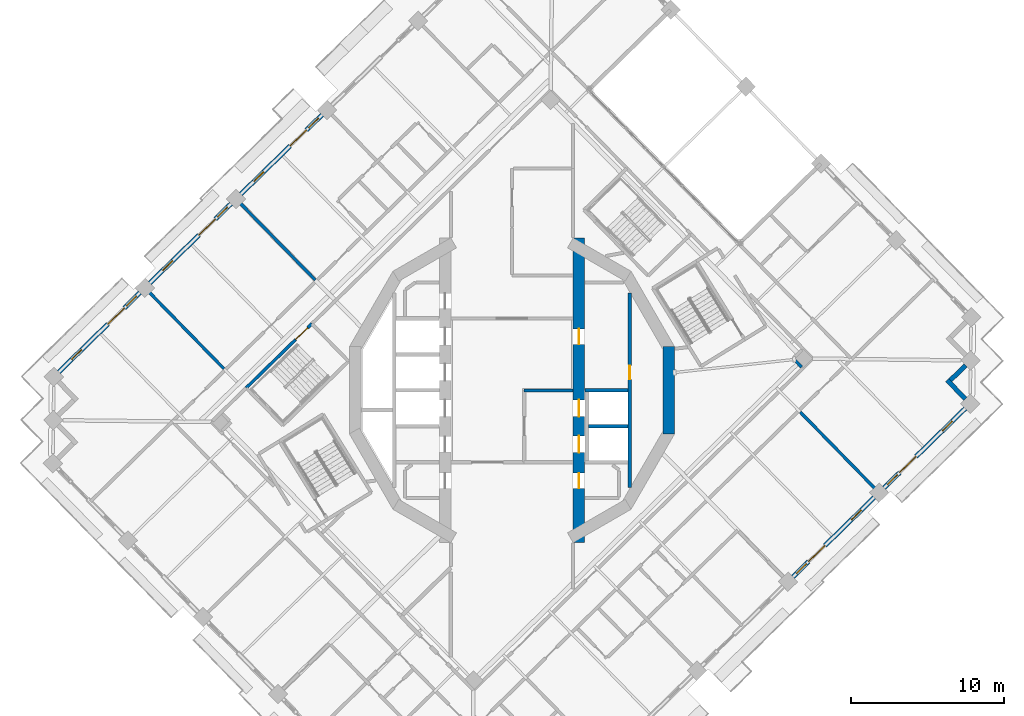
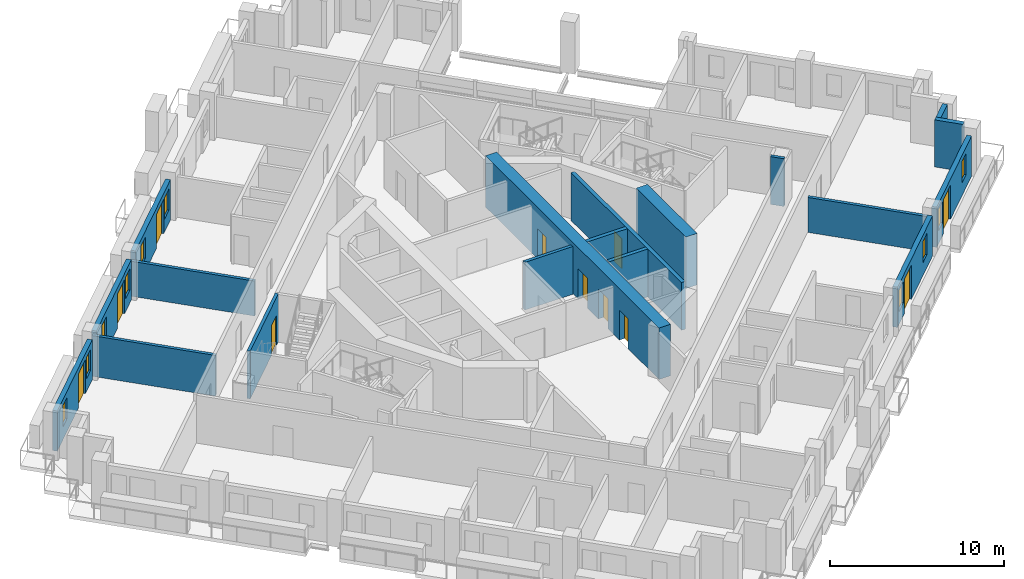
# One storey, part 10 of 20: 18 walls, 11 doors, 10 windows, 21 openings.
"""IFC4 building model written with IfcOpenShell, lengths in metres."""

from ifc_helpers import new_model, si_unit, direction, frame, frame_2d, origin, place, context, subcontext, project, spatial, rectangle, extrude, material, layer, layer_set, type_object, element, fill, save


model = new_model("IFC4")

# Units and contexts
model_context = context("Model", 3, precision=1e-05, world=origin(), true_north=direction((0.0, 1.0)))
body_context = subcontext(model_context, "Body", "Model", "MODEL_VIEW")
ifc_project = project(units=[si_unit("LENGTHUNIT", "METRE"), si_unit("AREAUNIT", "SQUARE_METRE"), si_unit("VOLUMEUNIT", "CUBIC_METRE"), si_unit("PLANEANGLEUNIT", "RADIAN"), si_unit("MASSUNIT", "GRAM", prefix="KILO")], contexts=[model_context])

# Site, building, storey
site_placement = place(None, origin())
site = spatial("IfcSite", under=ifc_project, at=site_placement, CompositionType="ELEMENT")
building_placement = place(site_placement, origin())
building = spatial("IfcBuilding", under=site, at=building_placement, Name="Cantera Rosa Tower", CompositionType="ELEMENT")
storey_placement = place(building_placement, frame((0.0, 0.0, 212.60009765625)))
storey = spatial("IfcBuildingStorey", under=building, at=storey_placement, Name="L45", CompositionType="ELEMENT", Elevation=212.60009765625)

# Walls
ifc_material_1 = material(Name="Hollow clay masonry with cantera stone cladding", Category="masonry")
ifc_layer_1 = layer(ifc_material_1, 0.300048828125)
ifc_layer_set_1 = layer_set([ifc_layer_1], Name="EW-LOGGIA 300")
wall_type_1 = type_object("IfcWallType", Name="EW-LOGGIA 300", PredefinedType="SOLIDWALL", material=ifc_layer_set_1)
wall_1_placement = place(storey_placement, frame((29.623291015625, -0.556884765625, 0.0), z_axis=(0.0, 0.0, 1.0), x_axis=(-0.69880105094, 0.715316077832, 0.0)))
element("IfcWall", 1, at=wall_1_placement, inside=storey, type_object=wall_type_1, Name="EN-L45-W26a", PredefinedType="SOLIDWALL", context=body_context, shape_type="SweptSolid", body=[
    extrude(rectangle(XDim=1.699951171875, YDim=0.300048828125, at=frame_2d((0.85009765625, 0.0))), origin(), (0.0, 0.0, 1.0), 3.2998046875),
])
wall_2_placement = place(storey_placement, frame((28.6474609375, 0.65673828125, 0.0), z_axis=(0.0, 0.0, 1.0), x_axis=(0.715341715727, 0.698774806172, 0.0)))
element("IfcWall", 2, at=wall_2_placement, inside=storey, type_object=wall_type_1, Name="EN-L45-W26b", PredefinedType="SOLIDWALL", context=body_context, shape_type="SweptSolid", body=[
    extrude(rectangle(XDim=1.39990234375, YDim=0.300048828125, at=frame_2d((0.699951171875, 0.0))), origin(), (0.0, 0.0, 1.0), 3.2998046875),
])

# Wall, openings, windows, door
ifc_material_2 = material(Name="Hollow clay masonry with cantera stone cladding", Category="masonry")
ifc_layer_2 = layer(ifc_material_2, 0.300048828125)
ifc_layer_set_2 = layer_set([ifc_layer_2], Name="EW-LOGGIA 300 H2820")
wall_type_2 = type_object("IfcWallType", Name="EW-LOGGIA 300 H2820", PredefinedType="SOLIDWALL", material=ifc_layer_set_2)
wall_3_placement = place(storey_placement, frame((-12.406005859375, 18.007080078125, 0.0), z_axis=(0.0, 0.0, 1.0), x_axis=(-0.715300826176, -0.698816662703, 0.0)))
wall_3 = element("IfcWall", 3, at=wall_3_placement, inside=storey, type_object=wall_type_2, Name="EN-L45-W09", PredefinedType="SOLIDWALL", context=body_context, shape_type="SweptSolid", body=[
    extrude(rectangle(XDim=7.420166015625, YDim=0.300048828125, at=frame_2d((3.7099609375, 0.0))), origin(), (0.0, 0.0, 1.0), 2.81982421875),
])
opening_1_placement = place(wall_3_placement, frame((0.330078125, 0.0, 0.89990234375)))
opening_1 = element("IfcOpeningElement", 4, at=opening_1_placement, cuts=wall_3, Name="Opening L45-W13", PredefinedType="OPENING", context=body_context, shape_type="SweptSolid", body=[
    extrude(rectangle(XDim=0.89990234375, YDim=1.5, at=frame_2d((0.449951171875, 0.75))), frame((0.0, 0.159912109375, 0.0), z_axis=(0.0, -1.0, 0.0), x_axis=(1.0, 0.0, 0.0)), (0.0, 0.0, 1.0), 0.320068359375),
])
opening_2_placement = place(wall_3_placement, frame((1.429931640625, 0.0, 0.0)))
opening_2 = element("IfcOpeningElement", 5, at=opening_2_placement, cuts=wall_3, Name="Opening L45-TD14", PredefinedType="OPENING", context=body_context, shape_type="SweptSolid", body=[
    extrude(rectangle(XDim=1.5, YDim=2.39990234375, at=frame_2d((0.75, 1.199951171875))), frame((0.0, 0.159912109375, 0.0), z_axis=(0.0, -1.0, 0.0), x_axis=(1.0, 0.0, 0.0)), (0.0, 0.0, 1.0), 0.320068359375),
])
opening_3_placement = place(wall_3_placement, frame((5.340087890625, 0.0, 0.89990234375)))
opening_3 = element("IfcOpeningElement", 6, at=opening_3_placement, cuts=wall_3, Name="Opening L45-W15", PredefinedType="OPENING", context=body_context, shape_type="SweptSolid", body=[
    extrude(rectangle(XDim=0.89990234375, YDim=1.5, at=frame_2d((0.449951171875, 0.75))), frame((0.0, 0.159912109375, 0.0), z_axis=(0.0, -1.0, 0.0), x_axis=(1.0, 0.0, 0.0)), (0.0, 0.0, 1.0), 0.320068359375),
])
ifc_material_3 = material(Name="Aluminium frame with clear glass", Category="aluminium")
window_type = type_object("IfcWindowType", Name="Residential window 900x1500", PartitioningType="SINGLE_PANEL", PredefinedType="WINDOW", material=ifc_material_3)
window_1_placement = place(opening_1_placement, origin())
window_1 = element("IfcWindow", 7, at=window_1_placement, inside=storey, type_object=window_type, Name="WINDOW L45-W13", OverallHeight=1.5, OverallWidth=0.89990234375, PartitioningType="SINGLE_PANEL", PredefinedType="WINDOW", context=body_context, shape_type="SweptSolid", body=[
    extrude(rectangle(XDim=0.89990234375, YDim=1.5, at=frame_2d((0.449951171875, 0.75))), frame((0.0, 0.030029296875, 0.0), z_axis=(0.0, -1.0, 0.0), x_axis=(1.0, 0.0, 0.0)), (0.0, 0.0, 1.0), 0.06005859375),
])
fill(opening_1, window_1)
window_2_placement = place(opening_3_placement, origin())
window_2 = element("IfcWindow", 8, at=window_2_placement, inside=storey, type_object=window_type, Name="WINDOW L45-W15", OverallHeight=1.5, OverallWidth=0.89990234375, PartitioningType="SINGLE_PANEL", PredefinedType="WINDOW", context=body_context, shape_type="SweptSolid", body=[
    extrude(rectangle(XDim=0.89990234375, YDim=1.5, at=frame_2d((0.449951171875, 0.75))), frame((0.0, 0.030029296875, 0.0), z_axis=(0.0, -1.0, 0.0), x_axis=(1.0, 0.0, 0.0)), (0.0, 0.0, 1.0), 0.06005859375),
])
fill(opening_3, window_2)
ifc_material_4 = material(Name="Aluminium frame with clear glass", Category="aluminium")
door_type_1 = type_object("IfcDoorType", Name="TD-R 1500x2400", OperationType="NOTDEFINED", PredefinedType="DOOR", material=ifc_material_4)
door_1_placement = place(opening_2_placement, origin())
door_1 = element("IfcDoor", 9, at=door_1_placement, inside=storey, type_object=door_type_1, Name="LOGGIA DOOR L45-TD14", OperationType="SLIDING_TO_LEFT", OverallHeight=2.39990234375, OverallWidth=1.5, PredefinedType="DOOR", context=body_context, shape_type="SweptSolid", body=[
    extrude(rectangle(XDim=1.5, YDim=2.39990234375, at=frame_2d((0.75, 1.199951171875))), frame((0.0, 0.02490234375, 0.0), z_axis=(0.0, -1.0, 0.0), x_axis=(1.0, 0.0, 0.0)), (0.0, 0.0, 1.0), 0.050048828125),
])
fill(opening_2, door_1)

wall_4_placement = place(storey_placement, frame((-18.357177734375, 12.19287109375, 0.0), z_axis=(0.0, 0.0, 1.0), x_axis=(-0.715300826176, -0.698816662703, 0.0)))
wall_4 = element("IfcWall", 10, at=wall_4_placement, inside=storey, type_object=wall_type_2, Name="EN-L45-W10", PredefinedType="SOLIDWALL", context=body_context, shape_type="SweptSolid", body=[
    extrude(rectangle(XDim=7.420166015625, YDim=0.300048828125, at=frame_2d((3.7099609375, 0.0))), origin(), (0.0, 0.0, 1.0), 2.81982421875),
])
opening_4_placement = place(wall_4_placement, frame((0.330078125, 0.0, 0.89990234375)))
opening_4 = element("IfcOpeningElement", 11, at=opening_4_placement, cuts=wall_4, Name="Opening L45-W16", PredefinedType="OPENING", context=body_context, shape_type="SweptSolid", body=[
    extrude(rectangle(XDim=0.89990234375, YDim=1.5, at=frame_2d((0.449951171875, 0.75))), frame((0.0, 0.159912109375, 0.0), z_axis=(0.0, -1.0, 0.0), x_axis=(1.0, 0.0, 0.0)), (0.0, 0.0, 1.0), 0.320068359375),
])
opening_5_placement = place(wall_4_placement, frame((1.429931640625, 0.0, 0.0)))
opening_5 = element("IfcOpeningElement", 12, at=opening_5_placement, cuts=wall_4, Name="Opening L45-TD17", PredefinedType="OPENING", context=body_context, shape_type="SweptSolid", body=[
    extrude(rectangle(XDim=1.5, YDim=2.39990234375, at=frame_2d((0.75, 1.199951171875))), frame((0.0, 0.159912109375, 0.0), z_axis=(0.0, -1.0, 0.0), x_axis=(1.0, 0.0, 0.0)), (0.0, 0.0, 1.0), 0.320068359375),
])
opening_6_placement = place(wall_4_placement, frame((5.340087890625, 0.0, 0.89990234375)))
opening_6 = element("IfcOpeningElement", 13, at=opening_6_placement, cuts=wall_4, Name="Opening L45-W18", PredefinedType="OPENING", context=body_context, shape_type="SweptSolid", body=[
    extrude(rectangle(XDim=0.89990234375, YDim=1.5, at=frame_2d((0.449951171875, 0.75))), frame((0.0, 0.159912109375, 0.0), z_axis=(0.0, -1.0, 0.0), x_axis=(1.0, 0.0, 0.0)), (0.0, 0.0, 1.0), 0.320068359375),
])
window_3_placement = place(opening_4_placement, origin())
window_3 = element("IfcWindow", 14, at=window_3_placement, inside=storey, type_object=window_type, Name="WINDOW L45-W16", OverallHeight=1.5, OverallWidth=0.89990234375, PartitioningType="SINGLE_PANEL", PredefinedType="WINDOW", context=body_context, shape_type="SweptSolid", body=[
    extrude(rectangle(XDim=0.89990234375, YDim=1.5, at=frame_2d((0.449951171875, 0.75))), frame((0.0, 0.030029296875, 0.0), z_axis=(0.0, -1.0, 0.0), x_axis=(1.0, 0.0, 0.0)), (0.0, 0.0, 1.0), 0.06005859375),
])
fill(opening_4, window_3)
window_4_placement = place(opening_6_placement, origin())
window_4 = element("IfcWindow", 15, at=window_4_placement, inside=storey, type_object=window_type, Name="WINDOW L45-W18", OverallHeight=1.5, OverallWidth=0.89990234375, PartitioningType="SINGLE_PANEL", PredefinedType="WINDOW", context=body_context, shape_type="SweptSolid", body=[
    extrude(rectangle(XDim=0.89990234375, YDim=1.5, at=frame_2d((0.449951171875, 0.75))), frame((0.0, 0.030029296875, 0.0), z_axis=(0.0, -1.0, 0.0), x_axis=(1.0, 0.0, 0.0)), (0.0, 0.0, 1.0), 0.06005859375),
])
fill(opening_6, window_4)
door_2_placement = place(opening_5_placement, origin())
door_2 = element("IfcDoor", 16, at=door_2_placement, inside=storey, type_object=door_type_1, Name="LOGGIA DOOR L45-TD17", OperationType="SLIDING_TO_LEFT", OverallHeight=2.39990234375, OverallWidth=1.5, PredefinedType="DOOR", context=body_context, shape_type="SweptSolid", body=[
    extrude(rectangle(XDim=1.5, YDim=2.39990234375, at=frame_2d((0.75, 1.199951171875))), frame((0.0, 0.02490234375, 0.0), z_axis=(0.0, -1.0, 0.0), x_axis=(1.0, 0.0, 0.0)), (0.0, 0.0, 1.0), 0.050048828125),
])
fill(opening_5, door_2)

wall_5_placement = place(storey_placement, frame((-24.308349609375, 6.37841796875, 0.0), z_axis=(0.0, 0.0, 1.0), x_axis=(-0.715300826176, -0.698816662703, 0.0)))
wall_5 = element("IfcWall", 17, at=wall_5_placement, inside=storey, type_object=wall_type_2, Name="EN-L45-W11", PredefinedType="SOLIDWALL", context=body_context, shape_type="SweptSolid", body=[
    extrude(rectangle(XDim=7.420166015625, YDim=0.300048828125, at=frame_2d((3.7099609375, 0.0))), origin(), (0.0, 0.0, 1.0), 2.81982421875),
])
opening_7_placement = place(wall_5_placement, frame((0.330078125, 0.0, 0.89990234375)))
opening_7 = element("IfcOpeningElement", 18, at=opening_7_placement, cuts=wall_5, Name="Opening L45-W19", PredefinedType="OPENING", context=body_context, shape_type="SweptSolid", body=[
    extrude(rectangle(XDim=0.89990234375, YDim=1.5, at=frame_2d((0.449951171875, 0.75))), frame((0.0, 0.159912109375, 0.0), z_axis=(0.0, -1.0, 0.0), x_axis=(1.0, 0.0, 0.0)), (0.0, 0.0, 1.0), 0.320068359375),
])
opening_8_placement = place(wall_5_placement, frame((1.429931640625, 0.0, 0.0)))
opening_8 = element("IfcOpeningElement", 19, at=opening_8_placement, cuts=wall_5, Name="Opening L45-TD20", PredefinedType="OPENING", context=body_context, shape_type="SweptSolid", body=[
    extrude(rectangle(XDim=1.5, YDim=2.39990234375, at=frame_2d((0.75, 1.199951171875))), frame((0.0, 0.159912109375, 0.0), z_axis=(0.0, -1.0, 0.0), x_axis=(1.0, 0.0, 0.0)), (0.0, 0.0, 1.0), 0.320068359375),
])
opening_9_placement = place(wall_5_placement, frame((5.340087890625, 0.0, 0.89990234375)))
opening_9 = element("IfcOpeningElement", 20, at=opening_9_placement, cuts=wall_5, Name="Opening L45-W21", PredefinedType="OPENING", context=body_context, shape_type="SweptSolid", body=[
    extrude(rectangle(XDim=0.89990234375, YDim=1.5, at=frame_2d((0.449951171875, 0.75))), frame((0.0, 0.159912109375, 0.0), z_axis=(0.0, -1.0, 0.0), x_axis=(1.0, 0.0, 0.0)), (0.0, 0.0, 1.0), 0.320068359375),
])
window_5_placement = place(opening_7_placement, origin())
window_5 = element("IfcWindow", 21, at=window_5_placement, inside=storey, type_object=window_type, Name="WINDOW L45-W19", OverallHeight=1.5, OverallWidth=0.89990234375, PartitioningType="SINGLE_PANEL", PredefinedType="WINDOW", context=body_context, shape_type="SweptSolid", body=[
    extrude(rectangle(XDim=0.89990234375, YDim=1.5, at=frame_2d((0.449951171875, 0.75))), frame((0.0, 0.030029296875, 0.0), z_axis=(0.0, -1.0, 0.0), x_axis=(1.0, 0.0, 0.0)), (0.0, 0.0, 1.0), 0.06005859375),
])
fill(opening_7, window_5)
window_6_placement = place(opening_9_placement, origin())
window_6 = element("IfcWindow", 22, at=window_6_placement, inside=storey, type_object=window_type, Name="WINDOW L45-W21", OverallHeight=1.5, OverallWidth=0.89990234375, PartitioningType="SINGLE_PANEL", PredefinedType="WINDOW", context=body_context, shape_type="SweptSolid", body=[
    extrude(rectangle(XDim=0.89990234375, YDim=1.5, at=frame_2d((0.449951171875, 0.75))), frame((0.0, 0.030029296875, 0.0), z_axis=(0.0, -1.0, 0.0), x_axis=(1.0, 0.0, 0.0)), (0.0, 0.0, 1.0), 0.06005859375),
])
fill(opening_9, window_6)
door_3_placement = place(opening_8_placement, origin())
door_3 = element("IfcDoor", 23, at=door_3_placement, inside=storey, type_object=door_type_1, Name="LOGGIA DOOR L45-TD20", OperationType="SLIDING_TO_LEFT", OverallHeight=2.39990234375, OverallWidth=1.5, PredefinedType="DOOR", context=body_context, shape_type="SweptSolid", body=[
    extrude(rectangle(XDim=1.5, YDim=2.39990234375, at=frame_2d((0.75, 1.199951171875))), frame((0.0, 0.02490234375, 0.0), z_axis=(0.0, -1.0, 0.0), x_axis=(1.0, 0.0, 0.0)), (0.0, 0.0, 1.0), 0.050048828125),
])
fill(opening_8, door_3)

wall_6_placement = place(storey_placement, frame((18.357177734375, -12.19287109375, 0.0), z_axis=(0.0, 0.0, 1.0), x_axis=(0.715300826176, 0.698816662703, 0.0)))
wall_6 = element("IfcWall", 24, at=wall_6_placement, inside=storey, type_object=wall_type_2, Name="EN-L45-W24", PredefinedType="SOLIDWALL", context=body_context, shape_type="SweptSolid", body=[
    extrude(rectangle(XDim=7.420166015625, YDim=0.300048828125, at=frame_2d((3.7099609375, 0.0))), origin(), (0.0, 0.0, 1.0), 2.81982421875),
])
opening_10_placement = place(wall_6_placement, frame((0.330078125, 0.0, 0.89990234375)))
opening_10 = element("IfcOpeningElement", 25, at=opening_10_placement, cuts=wall_6, Name="Opening L45-W46", PredefinedType="OPENING", context=body_context, shape_type="SweptSolid", body=[
    extrude(rectangle(XDim=0.89990234375, YDim=1.5, at=frame_2d((0.449951171875, 0.75))), frame((0.0, 0.159912109375, 0.0), z_axis=(0.0, -1.0, 0.0), x_axis=(1.0, 0.0, 0.0)), (0.0, 0.0, 1.0), 0.320068359375),
])
opening_11_placement = place(wall_6_placement, frame((1.429931640625, 0.0, 0.0)))
opening_11 = element("IfcOpeningElement", 26, at=opening_11_placement, cuts=wall_6, Name="Opening L45-TD47", PredefinedType="OPENING", context=body_context, shape_type="SweptSolid", body=[
    extrude(rectangle(XDim=1.5, YDim=2.39990234375, at=frame_2d((0.75, 1.199951171875))), frame((0.0, 0.159912109375, 0.0), z_axis=(0.0, -1.0, 0.0), x_axis=(1.0, 0.0, 0.0)), (0.0, 0.0, 1.0), 0.320068359375),
])
opening_12_placement = place(wall_6_placement, frame((5.340087890625, 0.0, 0.89990234375)))
opening_12 = element("IfcOpeningElement", 27, at=opening_12_placement, cuts=wall_6, Name="Opening L45-W48", PredefinedType="OPENING", context=body_context, shape_type="SweptSolid", body=[
    extrude(rectangle(XDim=0.89990234375, YDim=1.5, at=frame_2d((0.449951171875, 0.75))), frame((0.0, 0.159912109375, 0.0), z_axis=(0.0, -1.0, 0.0), x_axis=(1.0, 0.0, 0.0)), (0.0, 0.0, 1.0), 0.320068359375),
])
window_7_placement = place(opening_10_placement, origin())
window_7 = element("IfcWindow", 28, at=window_7_placement, inside=storey, type_object=window_type, Name="WINDOW L45-W46", OverallHeight=1.5, OverallWidth=0.89990234375, PartitioningType="SINGLE_PANEL", PredefinedType="WINDOW", context=body_context, shape_type="SweptSolid", body=[
    extrude(rectangle(XDim=0.89990234375, YDim=1.5, at=frame_2d((0.449951171875, 0.75))), frame((0.0, 0.030029296875, 0.0), z_axis=(0.0, -1.0, 0.0), x_axis=(1.0, 0.0, 0.0)), (0.0, 0.0, 1.0), 0.06005859375),
])
fill(opening_10, window_7)
window_8_placement = place(opening_12_placement, origin())
window_8 = element("IfcWindow", 29, at=window_8_placement, inside=storey, type_object=window_type, Name="WINDOW L45-W48", OverallHeight=1.5, OverallWidth=0.89990234375, PartitioningType="SINGLE_PANEL", PredefinedType="WINDOW", context=body_context, shape_type="SweptSolid", body=[
    extrude(rectangle(XDim=0.89990234375, YDim=1.5, at=frame_2d((0.449951171875, 0.75))), frame((0.0, 0.030029296875, 0.0), z_axis=(0.0, -1.0, 0.0), x_axis=(1.0, 0.0, 0.0)), (0.0, 0.0, 1.0), 0.06005859375),
])
fill(opening_12, window_8)
door_4_placement = place(opening_11_placement, origin())
door_4 = element("IfcDoor", 30, at=door_4_placement, inside=storey, type_object=door_type_1, Name="LOGGIA DOOR L45-TD47", OperationType="SLIDING_TO_LEFT", OverallHeight=2.39990234375, OverallWidth=1.5, PredefinedType="DOOR", context=body_context, shape_type="SweptSolid", body=[
    extrude(rectangle(XDim=1.5, YDim=2.39990234375, at=frame_2d((0.75, 1.199951171875))), frame((0.0, 0.02490234375, 0.0), z_axis=(0.0, -1.0, 0.0), x_axis=(1.0, 0.0, 0.0)), (0.0, 0.0, 1.0), 0.050048828125),
])
fill(opening_11, door_4)

wall_7_placement = place(storey_placement, frame((24.308349609375, -6.37841796875, 0.0), z_axis=(0.0, 0.0, 1.0), x_axis=(0.715300826176, 0.698816662703, 0.0)))
wall_7 = element("IfcWall", 31, at=wall_7_placement, inside=storey, type_object=wall_type_2, Name="EN-L45-W25", PredefinedType="SOLIDWALL", context=body_context, shape_type="SweptSolid", body=[
    extrude(rectangle(XDim=7.420166015625, YDim=0.300048828125, at=frame_2d((3.7099609375, 0.0))), origin(), (0.0, 0.0, 1.0), 2.81982421875),
])
opening_13_placement = place(wall_7_placement, frame((0.330078125, 0.0, 0.89990234375)))
opening_13 = element("IfcOpeningElement", 32, at=opening_13_placement, cuts=wall_7, Name="Opening L45-W49", PredefinedType="OPENING", context=body_context, shape_type="SweptSolid", body=[
    extrude(rectangle(XDim=0.89990234375, YDim=1.5, at=frame_2d((0.449951171875, 0.75))), frame((0.0, 0.159912109375, 0.0), z_axis=(0.0, -1.0, 0.0), x_axis=(1.0, 0.0, 0.0)), (0.0, 0.0, 1.0), 0.320068359375),
])
opening_14_placement = place(wall_7_placement, frame((1.429931640625, 0.0, 0.0)))
opening_14 = element("IfcOpeningElement", 33, at=opening_14_placement, cuts=wall_7, Name="Opening L45-TD50", PredefinedType="OPENING", context=body_context, shape_type="SweptSolid", body=[
    extrude(rectangle(XDim=1.5, YDim=2.39990234375, at=frame_2d((0.75, 1.199951171875))), frame((0.0, 0.159912109375, 0.0), z_axis=(0.0, -1.0, 0.0), x_axis=(1.0, 0.0, 0.0)), (0.0, 0.0, 1.0), 0.320068359375),
])
opening_15_placement = place(wall_7_placement, frame((5.340087890625, 0.0, 0.89990234375)))
opening_15 = element("IfcOpeningElement", 34, at=opening_15_placement, cuts=wall_7, Name="Opening L45-W51", PredefinedType="OPENING", context=body_context, shape_type="SweptSolid", body=[
    extrude(rectangle(XDim=0.89990234375, YDim=1.5, at=frame_2d((0.449951171875, 0.75))), frame((0.0, 0.159912109375, 0.0), z_axis=(0.0, -1.0, 0.0), x_axis=(1.0, 0.0, 0.0)), (0.0, 0.0, 1.0), 0.320068359375),
])
window_9_placement = place(opening_13_placement, origin())
window_9 = element("IfcWindow", 35, at=window_9_placement, inside=storey, type_object=window_type, Name="WINDOW L45-W49", OverallHeight=1.5, OverallWidth=0.89990234375, PartitioningType="SINGLE_PANEL", PredefinedType="WINDOW", context=body_context, shape_type="SweptSolid", body=[
    extrude(rectangle(XDim=0.89990234375, YDim=1.5, at=frame_2d((0.449951171875, 0.75))), frame((0.0, 0.030029296875, 0.0), z_axis=(0.0, -1.0, 0.0), x_axis=(1.0, 0.0, 0.0)), (0.0, 0.0, 1.0), 0.06005859375),
])
fill(opening_13, window_9)
window_10_placement = place(opening_15_placement, origin())
window_10 = element("IfcWindow", 36, at=window_10_placement, inside=storey, type_object=window_type, Name="WINDOW L45-W51", OverallHeight=1.5, OverallWidth=0.89990234375, PartitioningType="SINGLE_PANEL", PredefinedType="WINDOW", context=body_context, shape_type="SweptSolid", body=[
    extrude(rectangle(XDim=0.89990234375, YDim=1.5, at=frame_2d((0.449951171875, 0.75))), frame((0.0, 0.030029296875, 0.0), z_axis=(0.0, -1.0, 0.0), x_axis=(1.0, 0.0, 0.0)), (0.0, 0.0, 1.0), 0.06005859375),
])
fill(opening_15, window_10)
door_5_placement = place(opening_14_placement, origin())
door_5 = element("IfcDoor", 37, at=door_5_placement, inside=storey, type_object=door_type_1, Name="LOGGIA DOOR L45-TD50", OperationType="SLIDING_TO_LEFT", OverallHeight=2.39990234375, OverallWidth=1.5, PredefinedType="DOOR", context=body_context, shape_type="SweptSolid", body=[
    extrude(rectangle(XDim=1.5, YDim=2.39990234375, at=frame_2d((0.75, 1.199951171875))), frame((0.0, 0.02490234375, 0.0), z_axis=(0.0, -1.0, 0.0), x_axis=(1.0, 0.0, 0.0)), (0.0, 0.0, 1.0), 0.050048828125),
])
fill(opening_14, door_5)

# Walls
ifc_material_5 = material(Name="Gypsum board partition")
ifc_layer_3 = layer(ifc_material_5, 0.199951171875)
ifc_layer_set_3 = layer_set([ifc_layer_3], Name="PARTITION 200 H2850")
wall_type_3 = type_object("IfcWallType", Name="PARTITION 200 H2850", PredefinedType="PARTITIONING", material=ifc_layer_set_3)
wall_8_placement = place(storey_placement, frame((-18.815185546875, 1.39990234375, 0.0), z_axis=(0.0, 0.0, 1.0), x_axis=(-0.698843600557, 0.715274508116, 0.0)))
element("IfcWall", 38, at=wall_8_placement, inside=storey, type_object=wall_type_3, Name="PARTITION L45-005", PredefinedType="PARTITIONING", context=body_context, shape_type="SweptSolid", body=[
    extrude(rectangle(XDim=7.369873046875, YDim=0.199951171875, at=frame_2d((3.68505859375, 0.0))), origin(), (0.0, 0.0, 1.0), 2.849853515625),
])
ifc_material_6 = material(Name="Gypsum board partition")
ifc_layer_4 = layer(ifc_material_6, 0.199951171875)
ifc_layer_set_4 = layer_set([ifc_layer_4], Name="PARTITION 200 H3350")
wall_type_4 = type_object("IfcWallType", Name="PARTITION 200 H3350", PredefinedType="PARTITIONING", material=ifc_layer_set_4)
wall_9_placement = place(storey_placement, frame((18.375, 2.08447265625, 0.0), z_axis=(0.0, 0.0, 1.0), x_axis=(0.698819420598, -0.715298131827, 0.0)))
element("IfcWall", 39, at=wall_9_placement, inside=storey, type_object=wall_type_4, Name="PARTITION L45-120", PredefinedType="PARTITIONING", context=body_context, shape_type="SweptSolid", body=[
    extrude(rectangle(XDim=0.800048828125, YDim=0.199951171875, at=frame_2d((0.39990234375, 0.0))), origin(), (0.0, 0.0, 1.0), 3.349853515625),
])
ifc_material_7 = material(Name="Gypsum board partition")
ifc_layer_5 = layer(ifc_material_7, 0.199951171875)
ifc_layer_set_5 = layer_set([ifc_layer_5], Name="PARTY WALL 200 H2450")
wall_type_5 = type_object("IfcWallType", Name="PARTY WALL 200 H2450", PredefinedType="PARTITIONING", material=ifc_layer_set_5)
wall_10_placement = place(storey_placement, frame((-12.864013671875, 7.214111328125, 0.0), z_axis=(0.0, 0.0, 1.0), x_axis=(-0.698827041819, 0.715290686101, 0.0)))
element("IfcWall", 40, at=wall_10_placement, inside=storey, type_object=wall_type_5, Name="PARTY WALL L45-021", PredefinedType="PARTITIONING", context=body_context, shape_type="SweptSolid", body=[
    extrude(rectangle(XDim=7.3701171875, YDim=0.199951171875, at=frame_2d((3.68505859375, 0.0))), origin(), (0.0, 0.0, 1.0), 2.449951171875),
])
wall_11_placement = place(storey_placement, frame((18.8291015625, -1.414306640625, 0.0), z_axis=(0.0, 0.0, 1.0), x_axis=(0.698854556514, -0.71526380367, 0.0)))
element("IfcWall", 41, at=wall_11_placement, inside=storey, type_object=wall_type_5, Name="PARTY WALL L45-121", PredefinedType="PARTITIONING", context=body_context, shape_type="SweptSolid", body=[
    extrude(rectangle(XDim=7.349853515625, YDim=0.199951171875, at=frame_2d((3.6748046875, 0.0))), origin(), (0.0, 0.0, 1.0), 2.449951171875),
])
ifc_material_8 = material(Name="Concrete C60/75", Category="concrete")
ifc_layer_6 = layer(ifc_material_8, 0.75)
ifc_layer_set_6 = layer_set([ifc_layer_6], Name="RC CORE WALL 750 C60/75")
wall_type_6 = type_object("IfcWallType", Name="RC CORE WALL 750 C60/75", PredefinedType="SHEAR", material=ifc_layer_set_6)
wall_12_placement = place(storey_placement, frame((10.250244140625, 2.846923828125, 0.0), z_axis=(0.0, 0.0, 1.0), x_axis=(0.0, -1.0, 0.0)))
element("IfcWall", 42, at=wall_12_placement, inside=storey, type_object=wall_type_6, Name="CW-E3 L45", PredefinedType="SHEAR", context=body_context, shape_type="SweptSolid", body=[
    extrude(rectangle(XDim=5.69384765625, YDim=0.75, at=frame_2d((2.846923828125, 0.0))), origin(), (0.0, 0.0, 1.0), 3.599853515625),
])

# Wall, openings, doors
wall_13_placement = place(storey_placement, frame((4.375, -9.95947265625, 0.0), z_axis=(0.0, 0.0, 1.0), x_axis=(0.0, 1.0, 0.0)))
wall_13 = element("IfcWall", 43, at=wall_13_placement, inside=storey, type_object=wall_type_6, Name="CW-E6 L45", PredefinedType="SHEAR", context=body_context, shape_type="SweptSolid", body=[
    extrude(rectangle(XDim=19.9189453125, YDim=0.75, at=frame_2d((9.95947265625, 0.0))), origin(), (0.0, 0.0, 1.0), 3.599853515625),
])
opening_16_placement = place(wall_13_placement, frame((5.884521484375, 0.0, 0.0)))
opening_16 = element("IfcOpeningElement", 44, at=opening_16_placement, cuts=wall_13, Name="Opening LD-FF1-L45", PredefinedType="OPENING", context=body_context, shape_type="SweptSolid", body=[
    extrude(rectangle(XDim=1.10009765625, YDim=2.10009765625, at=frame_2d((0.550048828125, 1.050048828125))), frame((0.0, 0.385009765625, 0.0), z_axis=(0.0, -1.0, 0.0), x_axis=(1.0, 0.0, 0.0)), (0.0, 0.0, 1.0), 0.77001953125),
])
opening_17_placement = place(wall_13_placement, frame((8.234619140625, 0.0, 0.0)))
opening_17 = element("IfcOpeningElement", 45, at=opening_17_placement, cuts=wall_13, Name="Opening LD-FF2-L45", PredefinedType="OPENING", context=body_context, shape_type="SweptSolid", body=[
    extrude(rectangle(XDim=1.10009765625, YDim=2.10009765625, at=frame_2d((0.550048828125, 1.050048828125))), frame((0.0, 0.385009765625, 0.0), z_axis=(0.0, -1.0, 0.0), x_axis=(1.0, 0.0, 0.0)), (0.0, 0.0, 1.0), 0.77001953125),
])
opening_18_placement = place(wall_13_placement, frame((3.55078125, 0.0, 0.0)))
opening_18 = element("IfcOpeningElement", 46, at=opening_18_placement, cuts=wall_13, Name="Opening SD-L45-21", PredefinedType="OPENING", context=body_context, shape_type="SweptSolid", body=[
    extrude(rectangle(XDim=1.0, YDim=2.10009765625, at=frame_2d((0.5, 1.050048828125))), frame((0.0, 0.385009765625, 0.0), z_axis=(0.0, -1.0, 0.0), x_axis=(1.0, 0.0, 0.0)), (0.0, 0.0, 1.0), 0.77001953125),
])
opening_19_placement = place(wall_13_placement, frame((12.9658203125, 0.0, 0.0)))
opening_19 = element("IfcOpeningElement", 47, at=opening_19_placement, cuts=wall_13, Name="Opening SD-L45-22", PredefinedType="OPENING", context=body_context, shape_type="SweptSolid", body=[
    extrude(rectangle(XDim=1.0, YDim=2.10009765625, at=frame_2d((0.5, 1.050048828125))), frame((0.0, 0.385009765625, 0.0), z_axis=(0.0, -1.0, 0.0), x_axis=(1.0, 0.0, 0.0)), (0.0, 0.0, 1.0), 0.77001953125),
])
ifc_material_9 = material(Name="Steel S355J2 (EN 10025-2)", Category="steel")
door_type_2 = type_object("IfcDoorType", Name="LANDING DOOR 1100x2100", OperationType="NOTDEFINED", PredefinedType="DOOR", material=ifc_material_9)
door_6_placement = place(opening_16_placement, origin())
door_6 = element("IfcDoor", 48, at=door_6_placement, inside=storey, type_object=door_type_2, Name="LANDING DOOR FF1 L45", OperationType="SLIDING_TO_LEFT", OverallHeight=2.10009765625, OverallWidth=1.10009765625, PredefinedType="DOOR", context=body_context, shape_type="SweptSolid", body=[
    extrude(rectangle(XDim=1.10009765625, YDim=2.10009765625, at=frame_2d((0.550048828125, 1.050048828125))), frame((0.0, 0.02490234375, 0.0), z_axis=(0.0, -1.0, 0.0), x_axis=(1.0, 0.0, 0.0)), (0.0, 0.0, 1.0), 0.050048828125),
])
fill(opening_16, door_6)
door_7_placement = place(opening_17_placement, origin())
door_7 = element("IfcDoor", 49, at=door_7_placement, inside=storey, type_object=door_type_2, Name="LANDING DOOR FF2 L45", OperationType="SLIDING_TO_LEFT", OverallHeight=2.10009765625, OverallWidth=1.10009765625, PredefinedType="DOOR", context=body_context, shape_type="SweptSolid", body=[
    extrude(rectangle(XDim=1.10009765625, YDim=2.10009765625, at=frame_2d((0.550048828125, 1.050048828125))), frame((0.0, 0.02490234375, 0.0), z_axis=(0.0, -1.0, 0.0), x_axis=(1.0, 0.0, 0.0)), (0.0, 0.0, 1.0), 0.050048828125),
])
fill(opening_17, door_7)
ifc_material_10 = material(Name="Timber door leaf", Category="wood")
door_type_3 = type_object("IfcDoorType", Name="SERVICE DOOR 1000x2100", OperationType="NOTDEFINED", PredefinedType="DOOR", material=ifc_material_10)
door_8_placement = place(opening_18_placement, origin())
door_8 = element("IfcDoor", 50, at=door_8_placement, inside=storey, type_object=door_type_3, Name="DOOR L45-SD21", OperationType="NOTDEFINED", OverallHeight=2.10009765625, OverallWidth=1.0, PredefinedType="DOOR", context=body_context, shape_type="SweptSolid", body=[
    extrude(rectangle(XDim=1.0, YDim=2.10009765625, at=frame_2d((0.5, 1.050048828125))), frame((0.0, 0.02490234375, 0.0), z_axis=(0.0, -1.0, 0.0), x_axis=(1.0, 0.0, 0.0)), (0.0, 0.0, 1.0), 0.050048828125),
])
fill(opening_18, door_8)
door_9_placement = place(opening_19_placement, origin())
door_9 = element("IfcDoor", 51, at=door_9_placement, inside=storey, type_object=door_type_3, Name="DOOR L45-SD22", OperationType="NOTDEFINED", OverallHeight=2.10009765625, OverallWidth=1.0, PredefinedType="DOOR", context=body_context, shape_type="SweptSolid", body=[
    extrude(rectangle(XDim=1.0, YDim=2.10009765625, at=frame_2d((0.5, 1.050048828125))), frame((0.0, 0.02490234375, 0.0), z_axis=(0.0, -1.0, 0.0), x_axis=(1.0, 0.0, 0.0)), (0.0, 0.0, 1.0), 0.050048828125),
])
fill(opening_19, door_9)

# Wall
ifc_material_11 = material(Name="Masonry blockwork", Category="masonry")
ifc_layer_7 = layer(ifc_material_11, 0.25)
ifc_layer_set_7 = layer_set([ifc_layer_7], Name="SHAFT WALL 250 H3350")
wall_type_7 = type_object("IfcWallType", Name="SHAFT WALL 250 H3350", PredefinedType="SOLIDWALL", material=ifc_layer_set_7)
wall_14_placement = place(storey_placement, frame((4.780029296875, 0.0, 0.0), z_axis=(0.0, 0.0, 1.0), x_axis=(1.0, 0.0, 0.0)))
element("IfcWall", 52, at=wall_14_placement, inside=storey, type_object=wall_type_7, Name="SHAFT WALL L45-083", PredefinedType="SOLIDWALL", context=body_context, shape_type="SweptSolid", body=[
    extrude(rectangle(XDim=2.794921875, YDim=0.25, at=frame_2d((1.3974609375, 0.0))), origin(), (0.0, 0.0, 1.0), 3.349853515625),
])

# Wall, opening, door
wall_15_placement = place(storey_placement, frame((7.699951171875, -6.353515625, 0.0), z_axis=(0.0, 0.0, 1.0), x_axis=(0.0, 1.0, 0.0)))
wall_15 = element("IfcWall", 53, at=wall_15_placement, inside=storey, type_object=wall_type_7, Name="SHAFT WALL L45-096", PredefinedType="SOLIDWALL", context=body_context, shape_type="SweptSolid", body=[
    extrude(rectangle(XDim=12.70703125, YDim=0.25, at=frame_2d((6.353515625, 0.0))), origin(), (0.0, 0.0, 1.0), 3.349853515625),
])
opening_20_placement = place(wall_15_placement, frame((7.063720703125, 0.0, 0.0)))
opening_20 = element("IfcOpeningElement", 54, at=opening_20_placement, cuts=wall_15, Name="Opening L45-058", PredefinedType="OPENING", context=body_context, shape_type="SweptSolid", body=[
    extrude(rectangle(XDim=0.89990234375, YDim=2.10009765625, at=frame_2d((0.449951171875, 1.050048828125))), frame((0.0, 0.135009765625, 0.0), z_axis=(0.0, -1.0, 0.0), x_axis=(1.0, 0.0, 0.0)), (0.0, 0.0, 1.0), 0.27001953125),
])
ifc_material_12 = material(Name="Timber door leaf", Category="wood")
door_type_4 = type_object("IfcDoorType", Name="SERVICE DOOR 900x2100", OperationType="NOTDEFINED", PredefinedType="DOOR", material=ifc_material_12)
door_10_placement = place(opening_20_placement, origin())
door_10 = element("IfcDoor", 55, at=door_10_placement, inside=storey, type_object=door_type_4, Name="RISER DOOR L45-058", OperationType="NOTDEFINED", OverallHeight=2.10009765625, OverallWidth=0.89990234375, PredefinedType="DOOR", context=body_context, shape_type="SweptSolid", body=[
    extrude(rectangle(XDim=0.89990234375, YDim=2.10009765625, at=frame_2d((0.449951171875, 1.050048828125))), frame((0.0, 0.02490234375, 0.0), z_axis=(0.0, -1.0, 0.0), x_axis=(1.0, 0.0, 0.0)), (0.0, 0.0, 1.0), 0.050048828125),
])
fill(opening_20, door_10)

# Wall
wall_16_placement = place(storey_placement, frame((7.574951171875, -2.35009765625, 0.0), z_axis=(0.0, 0.0, 1.0), x_axis=(-1.0, 0.0, 0.0)))
element("IfcWall", 56, at=wall_16_placement, inside=storey, type_object=wall_type_7, Name="SHAFT WALL L45-098", PredefinedType="SOLIDWALL", context=body_context, shape_type="SweptSolid", body=[
    extrude(rectangle(XDim=2.56005859375, YDim=0.25, at=frame_2d((1.280029296875, 0.0))), origin(), (0.0, 0.0, 1.0), 3.349853515625),
])

# Wall, opening, door
ifc_material_13 = material(Name="Concrete C50/60", Category="concrete")
ifc_layer_8 = layer(ifc_material_13, 0.199951171875)
ifc_layer_set_8 = layer_set([ifc_layer_8], Name="STAIR WALL 200 H3350")
wall_type_8 = type_object("IfcWallType", Name="STAIR WALL 200 H3350", PredefinedType="SOLIDWALL", material=ifc_layer_set_8)
wall_17_placement = place(storey_placement, frame((-13.077880859375, 4.34912109375, 0.0), z_axis=(0.0, 0.0, 1.0), x_axis=(-0.715278260946, -0.698839759471, 0.0)))
wall_17 = element("IfcWall", 57, at=wall_17_placement, inside=storey, type_object=wall_type_8, Name="STAIR WALL L45-017", PredefinedType="SOLIDWALL", context=body_context, shape_type="SweptSolid", body=[
    extrude(rectangle(XDim=6.0, YDim=0.199951171875, at=frame_2d((3.0, 0.0))), origin(), (0.0, 0.0, 1.0), 3.349853515625),
])
opening_21_placement = place(wall_17_placement, frame((0.375, 0.0, 0.0)))
opening_21 = element("IfcOpeningElement", 58, at=opening_21_placement, cuts=wall_17, Name="Opening L45-004", PredefinedType="OPENING", context=body_context, shape_type="SweptSolid", body=[
    extrude(rectangle(XDim=1.10009765625, YDim=2.10009765625, at=frame_2d((0.550048828125, 1.050048828125))), frame((0.0, 0.10986328125, 0.0), z_axis=(0.0, -1.0, 0.0), x_axis=(1.0, 0.0, 0.0)), (0.0, 0.0, 1.0), 0.219970703125),
])
ifc_material_14 = material(Name="Steel S355J2 (EN 10025-2)", Category="steel")
door_type_5 = type_object("IfcDoorType", Name="STAIR DOOR 1100x2100", OperationType="NOTDEFINED", PredefinedType="DOOR", material=ifc_material_14)
door_11_placement = place(opening_21_placement, origin())
door_11 = element("IfcDoor", 59, at=door_11_placement, inside=storey, type_object=door_type_5, Name="DOOR L45-004", OperationType="NOTDEFINED", OverallHeight=2.10009765625, OverallWidth=1.10009765625, PredefinedType="DOOR", context=body_context, shape_type="SweptSolid", body=[
    extrude(rectangle(XDim=1.10009765625, YDim=2.10009765625, at=frame_2d((0.550048828125, 1.050048828125))), frame((0.0, 0.02490234375, 0.0), z_axis=(0.0, -1.0, 0.0), x_axis=(1.0, 0.0, 0.0)), (0.0, 0.0, 1.0), 0.050048828125),
])
fill(opening_21, door_11)

# Wall
wall_18_placement = place(storey_placement, frame((0.800048828125, 0.0, 0.0), z_axis=(0.0, 0.0, 1.0), x_axis=(1.0, 0.0, 0.0)))
element("IfcWall", 60, at=wall_18_placement, inside=storey, type_object=wall_type_8, Name="STAIR WALL L45-070", PredefinedType="SOLIDWALL", context=body_context, shape_type="SweptSolid", body=[
    extrude(rectangle(XDim=3.169921875, YDim=0.199951171875, at=frame_2d((1.5849609375, 0.0))), origin(), (0.0, 0.0, 1.0), 3.349853515625),
])

save(model, "model.ifc")
